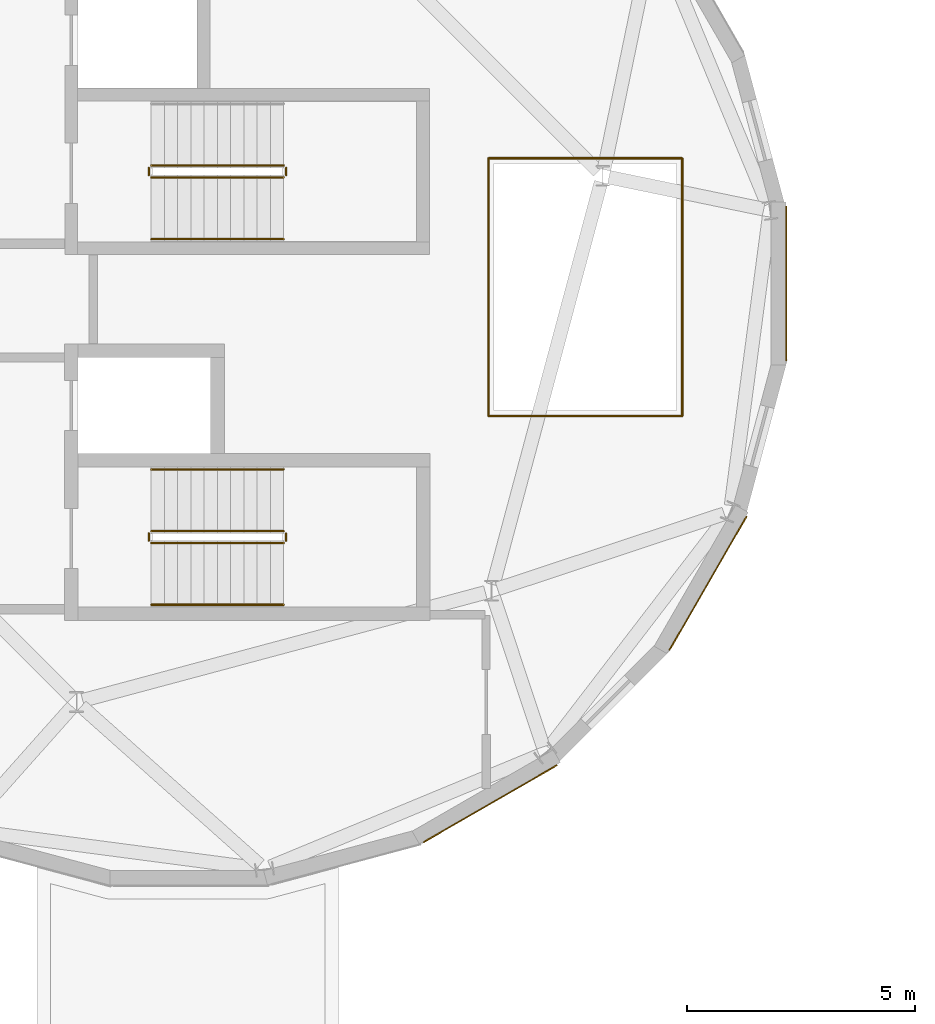
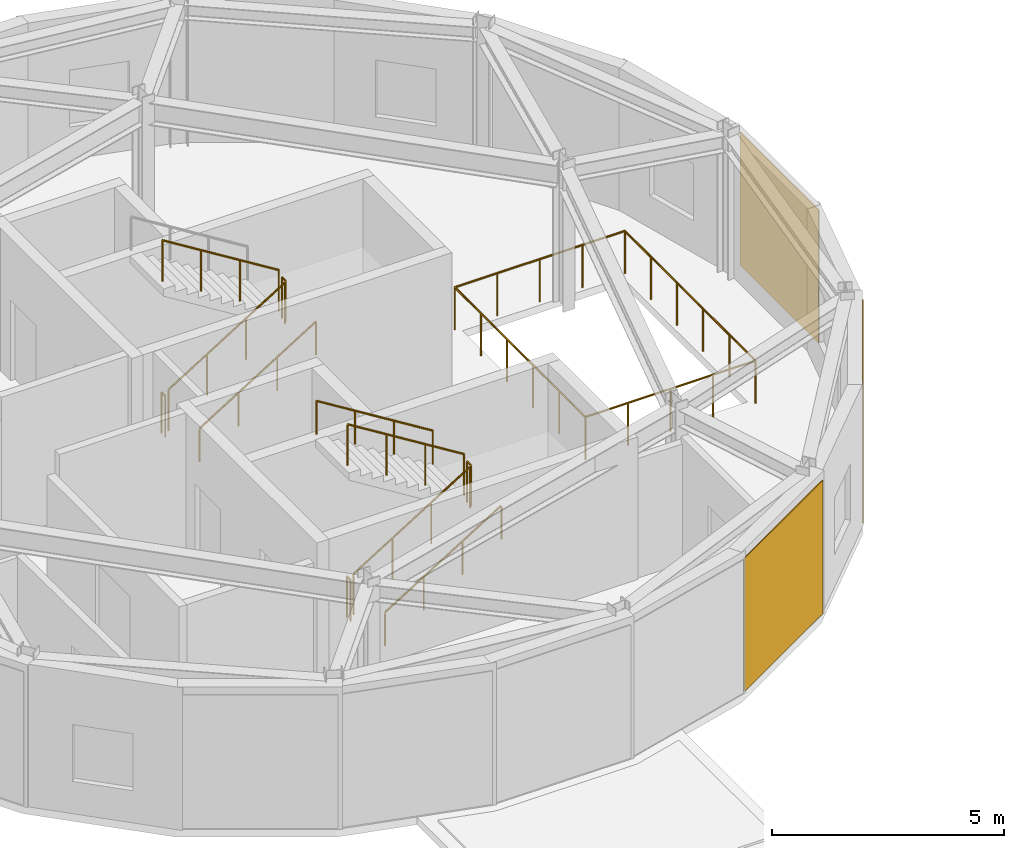
# One storey, part 39 of 44: 15 railings, 3 coverings.
"""IFC4 building model written with IfcOpenShell, lengths in metres."""

from ifc_helpers import new_model, si_unit, direction, frame, origin, origin_2d, place, context, subcontext, project, spatial, rectangle, circle, extrude, material, layer, layer_set, type_object, element, save


model = new_model("IFC4")

# Units and contexts
model_context = context("Model", 3, precision=1e-05, world=origin(), true_north=direction((0.0, 1.0)))
body_context = subcontext(model_context, "Body", "Model", "MODEL_VIEW")
ifc_project = project(units=[si_unit("LENGTHUNIT", "METRE"), si_unit("AREAUNIT", "SQUARE_METRE"), si_unit("VOLUMEUNIT", "CUBIC_METRE"), si_unit("PLANEANGLEUNIT", "RADIAN"), si_unit("MASSUNIT", "GRAM", prefix="KILO")], contexts=[model_context])

# Site, building, storey
site_placement = place(None, origin())
site = spatial("IfcSite", under=ifc_project, at=site_placement, CompositionType="ELEMENT")
building_placement = place(site_placement, origin())
building = spatial("IfcBuilding", under=site, at=building_placement, Name="Varnklinge Art Gallery", CompositionType="ELEMENT")
storey_placement = place(building_placement, frame((0.0, 0.0, 13.679931640625)))
storey = spatial("IfcBuildingStorey", under=building, at=storey_placement, Name="L03", CompositionType="ELEMENT", Elevation=13.679931640625)

# Railings
ifc_material_1 = material(Name="Anodised Aluminium", Category="aluminium")
railing_type_1 = type_object("IfcRailingType", Name="BAL-01", PredefinedType="BALUSTRADE", material=ifc_material_1)
railing_1_placement = place(storey_placement, frame((86.320068359375, 35.679931640625, 0.0)))
element("IfcRailing", 1, at=railing_1_placement, inside=storey, type_object=railing_type_1, Name="L03 Atrium Void Balustrade 7.1", PredefinedType="BALUSTRADE", context=body_context, shape_type="SweptSolid", body=[
    extrude(circle(Radius=0.02392578125, at=origin_2d()), frame((0.0, 0.0, 1.11572265625), z_axis=(0.0, 1.0, 0.0), x_axis=(-1.0, 0.0, 0.0)), (0.0, 0.0, 1.0), 5.64013671875),
    extrude(circle(Radius=0.02099609375, at=origin_2d()), origin(), (0.0, 0.0, 1.0), 1.091796875),
    extrude(circle(Radius=0.02099609375, at=origin_2d()), frame((0.0, 1.1279296875, 0.0)), (0.0, 0.0, 1.0), 1.091796875),
    extrude(circle(Radius=0.02099609375, at=origin_2d()), frame((0.0, 2.256103515625, 0.0)), (0.0, 0.0, 1.0), 1.091796875),
    extrude(circle(Radius=0.02099609375, at=origin_2d()), frame((0.0, 3.384033203125, 0.0)), (0.0, 0.0, 1.0), 1.091796875),
    extrude(circle(Radius=0.02099609375, at=origin_2d()), frame((0.0, 4.51220703125, 0.0)), (0.0, 0.0, 1.0), 1.091796875),
    extrude(circle(Radius=0.02099609375, at=origin_2d()), frame((0.0, 5.64013671875, 0.0)), (0.0, 0.0, 1.0), 1.091796875),
])
railing_2_placement = place(storey_placement, frame((86.320068359375, 41.320068359375, 0.0)))
element("IfcRailing", 2, at=railing_2_placement, inside=storey, type_object=railing_type_1, Name="L03 Atrium Void Balustrade 7.2", PredefinedType="BALUSTRADE", context=body_context, shape_type="SweptSolid", body=[
    extrude(circle(Radius=0.02392578125, at=origin_2d()), frame((0.0, 0.0, 1.11572265625), z_axis=(-1.0, 0.0, 0.0), x_axis=(0.0, -1.0, 0.0)), (0.0, 0.0, 1.0), 4.239990234375),
    extrude(circle(Radius=0.02099609375, at=origin_2d()), origin(), (0.0, 0.0, 1.0), 1.091796875),
    extrude(circle(Radius=0.02099609375, at=origin_2d()), frame((-1.06005859375, 0.0, 0.0)), (0.0, 0.0, 1.0), 1.091796875),
    extrude(circle(Radius=0.02099609375, at=origin_2d()), frame((-2.1201171875, 0.0, 0.0)), (0.0, 0.0, 1.0), 1.091796875),
    extrude(circle(Radius=0.02099609375, at=origin_2d()), frame((-3.179931640625, 0.0, 0.0)), (0.0, 0.0, 1.0), 1.091796875),
    extrude(circle(Radius=0.02099609375, at=origin_2d()), frame((-4.239990234375, 0.0, 0.0)), (0.0, 0.0, 1.0), 1.091796875),
])
railing_3_placement = place(storey_placement, frame((82.080078125, 41.320068359375, 0.0)))
element("IfcRailing", 3, at=railing_3_placement, inside=storey, type_object=railing_type_1, Name="L03 Atrium Void Balustrade 7.3", PredefinedType="BALUSTRADE", context=body_context, shape_type="SweptSolid", body=[
    extrude(circle(Radius=0.02392578125, at=origin_2d()), frame((0.0, 0.0, 1.11572265625), z_axis=(0.0, -1.0, 0.0), x_axis=(1.0, 0.0, 0.0)), (0.0, 0.0, 1.0), 5.64013671875),
    extrude(circle(Radius=0.02099609375, at=origin_2d()), origin(), (0.0, 0.0, 1.0), 1.091796875),
    extrude(circle(Radius=0.02099609375, at=origin_2d()), frame((0.0, -1.1279296875, 0.0)), (0.0, 0.0, 1.0), 1.091796875),
    extrude(circle(Radius=0.02099609375, at=origin_2d()), frame((0.0, -2.256103515625, 0.0)), (0.0, 0.0, 1.0), 1.091796875),
    extrude(circle(Radius=0.02099609375, at=origin_2d()), frame((0.0, -3.384033203125, 0.0)), (0.0, 0.0, 1.0), 1.091796875),
    extrude(circle(Radius=0.02099609375, at=origin_2d()), frame((0.0, -4.51220703125, 0.0)), (0.0, 0.0, 1.0), 1.091796875),
    extrude(circle(Radius=0.02099609375, at=origin_2d()), frame((0.0, -5.64013671875, 0.0)), (0.0, 0.0, 1.0), 1.091796875),
])
railing_4_placement = place(storey_placement, frame((82.080078125, 35.679931640625, 0.0)))
element("IfcRailing", 4, at=railing_4_placement, inside=storey, type_object=railing_type_1, Name="L03 Atrium Void Balustrade 7.4", PredefinedType="BALUSTRADE", context=body_context, shape_type="SweptSolid", body=[
    extrude(circle(Radius=0.02392578125, at=origin_2d()), frame((0.0, 0.0, 1.11572265625), z_axis=(1.0, 0.0, 0.0), x_axis=(0.0, 1.0, 0.0)), (0.0, 0.0, 1.0), 4.239990234375),
    extrude(circle(Radius=0.02099609375, at=origin_2d()), origin(), (0.0, 0.0, 1.0), 1.091796875),
    extrude(circle(Radius=0.02099609375, at=origin_2d()), frame((1.06005859375, 0.0, 0.0)), (0.0, 0.0, 1.0), 1.091796875),
    extrude(circle(Radius=0.02099609375, at=origin_2d()), frame((2.1201171875, 0.0, 0.0)), (0.0, 0.0, 1.0), 1.091796875),
    extrude(circle(Radius=0.02099609375, at=origin_2d()), frame((3.179931640625, 0.0, 0.0)), (0.0, 0.0, 1.0), 1.091796875),
    extrude(circle(Radius=0.02099609375, at=origin_2d()), frame((4.239990234375, 0.0, 0.0)), (0.0, 0.0, 1.0), 1.091796875),
])

# Coverings
ifc_material_2 = material(Name="Pre-weathered Zinc", Category="metal")
ifc_layer = layer(ifc_material_2, 0.02490234375)
ifc_layer_set = layer_set([ifc_layer], Name="Pre-weathered Zinc")
covering_type = type_object("IfcCoveringType", Name="CLD-ZNC", PredefinedType="CLADDING", material=ifc_layer_set)
covering_placement = place(storey_placement, frame((88.599609375, 38.580078125, 0.0498046875), z_axis=(0.0, 0.0, 1.0), x_axis=(0.0, -1.0, 0.0)))
element("IfcCovering", 5, at=covering_placement, inside=storey, type_object=covering_type, Name="L03 Brushed Zinc Drum Cladding EW-V4D-L03-01", PredefinedType="CLADDING", context=body_context, shape_type="SweptSolid", body=[
    extrude(rectangle(XDim=3.383544921875, YDim=0.02490234375, at=origin_2d()), origin(), (0.0, 0.0, 1.0), 3.510009765625),
])
for number, where, z_axis, x_axis, name in (
    (6, (86.884521484375, 32.01953125, 0.0498046875), (0.0, 0.0, 1.0), (-0.5, -0.866025403784, 0.0), "L03 Brushed Zinc Drum Cladding EW-V4D-L03-03"),
    (7, (82.119140625, 27.1953125, 0.0498046875), (0.0, 0.0, 1.0), (-0.866025403784, -0.5, 0.0), "L03 Brushed Zinc Drum Cladding EW-V4D-L03-05"),
):
    element("IfcCovering", number, at=place(storey_placement, frame(where, z_axis=z_axis, x_axis=x_axis)), inside=storey, type_object=covering_type, Name=name, PredefinedType="CLADDING", context=body_context, shape_type="SweptSolid", body=[
        extrude(rectangle(XDim=3.3837890625, YDim=0.02490234375, at=origin_2d()), origin(), (0.0, 0.0, 1.0), 3.510009765625),
    ])

# Railings
ifc_material_3 = material(Name="Steel S355", Category="steel")
railing_type_2 = type_object("IfcRailingType", Name="GR-INT", PredefinedType="GUARDRAIL", material=ifc_material_3)
railing_5_placement = place(storey_placement, frame((74.699951171875, 32.89990234375, 0.18017578125)))
element("IfcRailing", 8, at=railing_5_placement, inside=storey, type_object=railing_type_2, Name="L03 ST-01 stair guard 1", PredefinedType="GUARDRAIL", context=body_context, shape_type="SweptSolid", body=[
    extrude(circle(Radius=0.02392578125, at=origin_2d()), frame((0.0, 0.0, 1.076171875), z_axis=(0.849677739116, 0.0, 0.527302322819), x_axis=(0.0, 1.0, 0.0)), (0.0, 0.0, 1.0), 3.413330078125),
    extrude(circle(Radius=0.02099609375, at=origin_2d()), origin(), (0.0, 0.0, 1.0), 1.052001953125),
    extrude(circle(Radius=0.02099609375, at=origin_2d()), frame((0.966796875, 0.0, 0.599853515625)), (0.0, 0.0, 1.0), 1.052001953125),
    extrude(circle(Radius=0.02099609375, at=origin_2d()), frame((1.933349609375, 0.0, 1.199951171875)), (0.0, 0.0, 1.0), 1.052001953125),
    extrude(circle(Radius=0.02099609375, at=origin_2d()), frame((2.900146484375, 0.0, 1.7998046875)), (0.0, 0.0, 1.0), 1.052001953125),
])
railing_6_placement = place(storey_placement, frame((77.64990234375, 32.949951171875, 1.97998046875)))
element("IfcRailing", 9, at=railing_6_placement, inside=storey, type_object=railing_type_2, Name="L03 ST-01 stair guard 2", PredefinedType="GUARDRAIL", context=body_context, shape_type="SweptSolid", body=[
    extrude(circle(Radius=0.02392578125, at=origin_2d()), frame((0.0, 0.0, 1.076171875), z_axis=(0.0, 1.0, 0.0), x_axis=(-1.0, 0.0, 0.0)), (0.0, 0.0, 1.0), 0.16015625),
    extrude(circle(Radius=0.02099609375, at=origin_2d()), origin(), (0.0, 0.0, 1.0), 1.052001953125),
    extrude(circle(Radius=0.02099609375, at=origin_2d()), frame((0.0, 0.16015625, 0.0)), (0.0, 0.0, 1.0), 1.052001953125),
])
railing_7_placement = place(storey_placement, frame((77.60009765625, 33.159912109375, 2.16015625)))
element("IfcRailing", 10, at=railing_7_placement, inside=storey, type_object=railing_type_2, Name="L03 ST-01 stair guard 3", PredefinedType="GUARDRAIL", context=body_context, shape_type="SweptSolid", body=[
    extrude(circle(Radius=0.02392578125, at=origin_2d()), frame((0.0, 0.0, 1.076171875), z_axis=(-0.849677739116, 0.0, 0.527302322819), x_axis=(0.0, -1.0, 0.0)), (0.0, 0.0, 1.0), 3.413330078125),
    extrude(circle(Radius=0.02099609375, at=origin_2d()), origin(), (0.0, 0.0, 1.0), 1.052001953125),
    extrude(circle(Radius=0.02099609375, at=origin_2d()), frame((-0.966796875, 0.0, 0.599853515625)), (0.0, 0.0, 1.0), 1.052001953125),
    extrude(circle(Radius=0.02099609375, at=origin_2d()), frame((-1.933349609375, 0.0, 1.199951171875)), (0.0, 0.0, 1.0), 1.052001953125),
    extrude(circle(Radius=0.02099609375, at=origin_2d()), frame((-2.900146484375, 0.0, 1.7998046875)), (0.0, 0.0, 1.0), 1.052001953125),
])
railing_8_placement = place(storey_placement, frame((74.64990234375, 32.949951171875, 0.0)))
element("IfcRailing", 11, at=railing_8_placement, inside=storey, type_object=railing_type_2, Name="L03 ST-01 stair guard 4", PredefinedType="GUARDRAIL", context=body_context, shape_type="SweptSolid", body=[
    extrude(circle(Radius=0.02392578125, at=origin_2d()), frame((0.0, 0.0, 1.076171875), z_axis=(0.0, 1.0, 0.0), x_axis=(-1.0, 0.0, 0.0)), (0.0, 0.0, 1.0), 0.16015625),
    extrude(circle(Radius=0.02099609375, at=origin_2d()), origin(), (0.0, 0.0, 1.0), 1.052001953125),
    extrude(circle(Radius=0.02099609375, at=origin_2d()), frame((0.0, 0.16015625, 0.0)), (0.0, 0.0, 1.0), 1.052001953125),
])
railing_9_placement = place(storey_placement, frame((74.699951171875, 40.89990234375, 0.18017578125)))
element("IfcRailing", 12, at=railing_9_placement, inside=storey, type_object=railing_type_2, Name="L03 ST-02 stair guard 1", PredefinedType="GUARDRAIL", context=body_context, shape_type="SweptSolid", body=[
    extrude(circle(Radius=0.02392578125, at=origin_2d()), frame((0.0, 0.0, 1.076171875), z_axis=(0.849677739116, 0.0, 0.527302322819), x_axis=(0.0, 1.0, 0.0)), (0.0, 0.0, 1.0), 3.413330078125),
    extrude(circle(Radius=0.02099609375, at=origin_2d()), origin(), (0.0, 0.0, 1.0), 1.052001953125),
    extrude(circle(Radius=0.02099609375, at=origin_2d()), frame((0.966796875, 0.0, 0.599853515625)), (0.0, 0.0, 1.0), 1.052001953125),
    extrude(circle(Radius=0.02099609375, at=origin_2d()), frame((1.933349609375, 0.0, 1.199951171875)), (0.0, 0.0, 1.0), 1.052001953125),
    extrude(circle(Radius=0.02099609375, at=origin_2d()), frame((2.900146484375, 0.0, 1.7998046875)), (0.0, 0.0, 1.0), 1.052001953125),
])
railing_10_placement = place(storey_placement, frame((77.64990234375, 40.949951171875, 1.97998046875)))
element("IfcRailing", 13, at=railing_10_placement, inside=storey, type_object=railing_type_2, Name="L03 ST-02 stair guard 2", PredefinedType="GUARDRAIL", context=body_context, shape_type="SweptSolid", body=[
    extrude(circle(Radius=0.02392578125, at=origin_2d()), frame((0.0, 0.0, 1.076171875), z_axis=(0.0, 1.0, 0.0), x_axis=(-1.0, 0.0, 0.0)), (0.0, 0.0, 1.0), 0.16015625),
    extrude(circle(Radius=0.02099609375, at=origin_2d()), origin(), (0.0, 0.0, 1.0), 1.052001953125),
    extrude(circle(Radius=0.02099609375, at=origin_2d()), frame((0.0, 0.16015625, 0.0)), (0.0, 0.0, 1.0), 1.052001953125),
])
railing_11_placement = place(storey_placement, frame((77.60009765625, 41.159912109375, 2.16015625)))
element("IfcRailing", 14, at=railing_11_placement, inside=storey, type_object=railing_type_2, Name="L03 ST-02 stair guard 3", PredefinedType="GUARDRAIL", context=body_context, shape_type="SweptSolid", body=[
    extrude(circle(Radius=0.02392578125, at=origin_2d()), frame((0.0, 0.0, 1.076171875), z_axis=(-0.849677739116, 0.0, 0.527302322819), x_axis=(0.0, -1.0, 0.0)), (0.0, 0.0, 1.0), 3.413330078125),
    extrude(circle(Radius=0.02099609375, at=origin_2d()), origin(), (0.0, 0.0, 1.0), 1.052001953125),
    extrude(circle(Radius=0.02099609375, at=origin_2d()), frame((-0.966796875, 0.0, 0.599853515625)), (0.0, 0.0, 1.0), 1.052001953125),
    extrude(circle(Radius=0.02099609375, at=origin_2d()), frame((-1.933349609375, 0.0, 1.199951171875)), (0.0, 0.0, 1.0), 1.052001953125),
    extrude(circle(Radius=0.02099609375, at=origin_2d()), frame((-2.900146484375, 0.0, 1.7998046875)), (0.0, 0.0, 1.0), 1.052001953125),
])
railing_12_placement = place(storey_placement, frame((74.64990234375, 40.949951171875, 0.0)))
element("IfcRailing", 15, at=railing_12_placement, inside=storey, type_object=railing_type_2, Name="L03 ST-02 stair guard 4", PredefinedType="GUARDRAIL", context=body_context, shape_type="SweptSolid", body=[
    extrude(circle(Radius=0.02392578125, at=origin_2d()), frame((0.0, 0.0, 1.076171875), z_axis=(0.0, 1.0, 0.0), x_axis=(-1.0, 0.0, 0.0)), (0.0, 0.0, 1.0), 0.16015625),
    extrude(circle(Radius=0.02099609375, at=origin_2d()), origin(), (0.0, 0.0, 1.0), 1.052001953125),
    extrude(circle(Radius=0.02099609375, at=origin_2d()), frame((0.0, 0.16015625, 0.0)), (0.0, 0.0, 1.0), 1.052001953125),
])
ifc_material_4 = material(Name="Steel S355", Category="steel")
railing_type_3 = type_object("IfcRailingType", Name="HR-01", PredefinedType="HANDRAIL", material=ifc_material_4)
railing_13_placement = place(storey_placement, frame((74.699951171875, 31.550048828125, 0.18017578125)))
element("IfcRailing", 16, at=railing_13_placement, inside=storey, type_object=railing_type_3, Name="L03 ST-01 stair handrail 1", PredefinedType="HANDRAIL", context=body_context, shape_type="SweptSolid", body=[
    extrude(circle(Radius=0.02392578125, at=origin_2d()), frame((0.0, 0.0, 0.8759765625), z_axis=(0.849677739116, 0.0, 0.527302322819), x_axis=(0.0, 1.0, 0.0)), (0.0, 0.0, 1.0), 3.413330078125),
    extrude(circle(Radius=0.02099609375, at=origin_2d()), origin(), (0.0, 0.0, 1.0), 0.851806640625),
    extrude(circle(Radius=0.02099609375, at=origin_2d()), frame((0.966796875, 0.0, 0.599853515625)), (0.0, 0.0, 1.0), 0.851806640625),
    extrude(circle(Radius=0.02099609375, at=origin_2d()), frame((1.933349609375, 0.0, 1.199951171875)), (0.0, 0.0, 1.0), 0.851806640625),
    extrude(circle(Radius=0.02099609375, at=origin_2d()), frame((2.900146484375, 0.0, 1.7998046875)), (0.0, 0.0, 1.0), 0.851806640625),
])
railing_14_placement = place(storey_placement, frame((77.60009765625, 34.510009765625, 2.16015625)))
element("IfcRailing", 17, at=railing_14_placement, inside=storey, type_object=railing_type_3, Name="L03 ST-01 stair handrail 2", PredefinedType="HANDRAIL", context=body_context, shape_type="SweptSolid", body=[
    extrude(circle(Radius=0.02392578125, at=origin_2d()), frame((0.0, 0.0, 0.8759765625), z_axis=(-0.849677739116, 0.0, 0.527302322819), x_axis=(0.0, -1.0, 0.0)), (0.0, 0.0, 1.0), 3.413330078125),
    extrude(circle(Radius=0.02099609375, at=origin_2d()), origin(), (0.0, 0.0, 1.0), 0.851806640625),
    extrude(circle(Radius=0.02099609375, at=origin_2d()), frame((-0.966796875, 0.0, 0.599853515625)), (0.0, 0.0, 1.0), 0.851806640625),
    extrude(circle(Radius=0.02099609375, at=origin_2d()), frame((-1.933349609375, 0.0, 1.199951171875)), (0.0, 0.0, 1.0), 0.851806640625),
    extrude(circle(Radius=0.02099609375, at=origin_2d()), frame((-2.900146484375, 0.0, 1.7998046875)), (0.0, 0.0, 1.0), 0.851806640625),
])
railing_15_placement = place(storey_placement, frame((74.699951171875, 39.550048828125, 0.18017578125)))
element("IfcRailing", 18, at=railing_15_placement, inside=storey, type_object=railing_type_3, Name="L03 ST-02 stair handrail 1", PredefinedType="HANDRAIL", context=body_context, shape_type="SweptSolid", body=[
    extrude(circle(Radius=0.02392578125, at=origin_2d()), frame((0.0, 0.0, 0.8759765625), z_axis=(0.849677739116, 0.0, 0.527302322819), x_axis=(0.0, 1.0, 0.0)), (0.0, 0.0, 1.0), 3.413330078125),
    extrude(circle(Radius=0.02099609375, at=origin_2d()), origin(), (0.0, 0.0, 1.0), 0.851806640625),
    extrude(circle(Radius=0.02099609375, at=origin_2d()), frame((0.966796875, 0.0, 0.599853515625)), (0.0, 0.0, 1.0), 0.851806640625),
    extrude(circle(Radius=0.02099609375, at=origin_2d()), frame((1.933349609375, 0.0, 1.199951171875)), (0.0, 0.0, 1.0), 0.851806640625),
    extrude(circle(Radius=0.02099609375, at=origin_2d()), frame((2.900146484375, 0.0, 1.7998046875)), (0.0, 0.0, 1.0), 0.851806640625),
])

save(model, "model.ifc")
